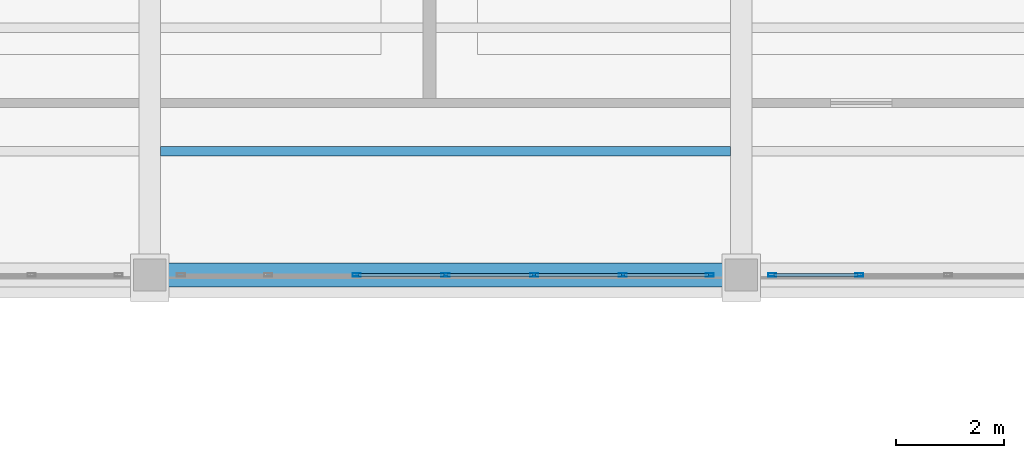
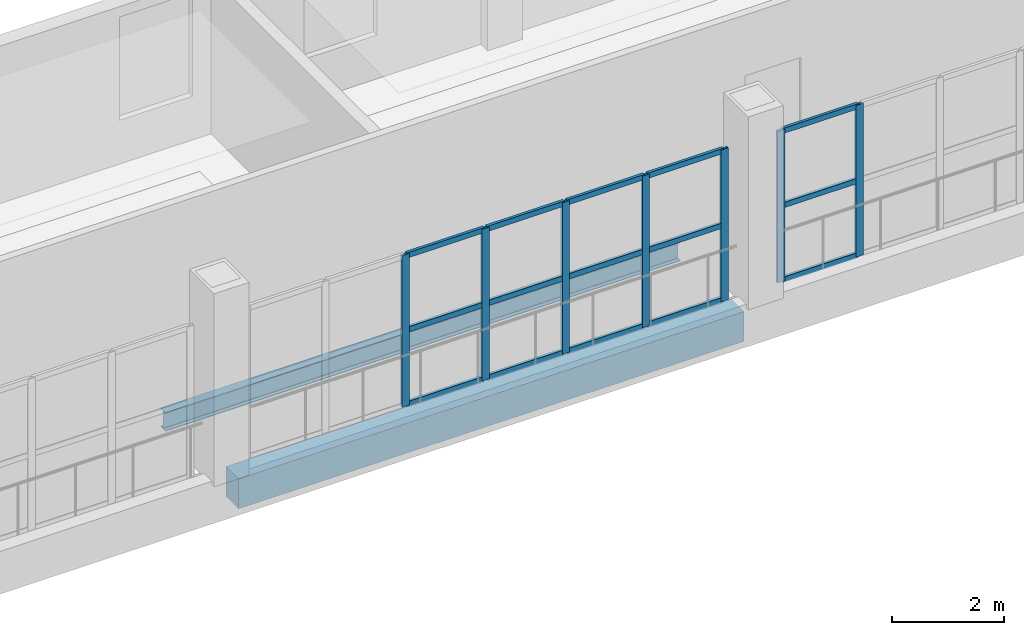
# One storey, part 66 of 120: 22 members, 2 beams, 2 elements without a shape of their own.
"""IFC4 building model written with IfcOpenShell, lengths in metres."""

import ifcopenshell
import ifcopenshell.guid

model = None  # the IFC model being written
_history = None  # IfcOwnerHistory: only IFC2X3 demands one
_inside = {}  # id of a spatial element -> (the spatial element, [elements in it])
_under = {}  # id of a project, library or spatial element -> (it, [spatial elements below it])
_declared = {}  # id of a project -> (the project, [libraries it declares])
_typed = {}  # id of a type object -> (the type object, [elements of that type])
_made_of = {}  # id of a material, layer set ... -> (it, [elements and type objects made of it])


def new_model(schema):
    """Start an empty IFC model of exactly this schema.

    Asked for "IFC4X3", IfcOpenShell would pick the latest addendum, in which some entities
    have other attributes; the version numbers below select the first issue.
    IFC2X3 requires an IfcOwnerHistory on every rooted entity: one is made here for all.
    """
    global model, _history
    if schema == "IFC4X3":
        model = ifcopenshell.file(schema_version=(4, 3, 0, 0))
    else:
        model = ifcopenshell.file(schema=schema)
    _inside.clear()
    _under.clear()
    _declared.clear()
    _typed.clear()
    _made_of.clear()
    _history = None
    if model.schema == "IFC2X3":
        org = make("IfcOrganization", Name="unknown")
        user = make(
            "IfcPersonAndOrganization",
            ThePerson=make("IfcPerson", FamilyName="unknown"),
            TheOrganization=org,
        )
        app = make(
            "IfcApplication",
            ApplicationDeveloper=org,
            Version="unknown",
            ApplicationFullName="unknown",
            ApplicationIdentifier="unknown",
        )
        _history = make(
            "IfcOwnerHistory",
            OwningUser=user,
            OwningApplication=app,
            ChangeAction="ADDED",
            CreationDate=0,
        )
    return model


def make(cls, **values):
    """One entity of the class cls with the attributes given. An attribute that is None is left unset."""
    return model.create_entity(
        cls, **{name: value for name, value in values.items() if value is not None}
    )


def rooted(cls, **values):
    """An entity with a GlobalId (a new one), such as an element, a storey or a relation."""
    return make(cls, GlobalId=ifcopenshell.guid.new(), OwnerHistory=_history, **values)


def si_unit(unit_type, name, prefix=None):
    """IfcSIUnit, for example si_unit("LENGTHUNIT", "METRE", prefix="MILLI")."""
    return make("IfcSIUnit", UnitType=unit_type, Prefix=prefix, Name=name)


def assignment(units):
    """IfcUnitAssignment: the units of a project."""
    return None if units is None else make("IfcUnitAssignment", Units=units)


def point(xyz):
    """IfcCartesianPoint."""
    return None if xyz is None else make("IfcCartesianPoint", Coordinates=xyz)


def direction(xyz):
    """IfcDirection."""
    return None if xyz is None else make("IfcDirection", DirectionRatios=xyz)


def frame(location, z_axis=None, x_axis=None):
    """IfcAxis2Placement3D, a coordinate frame: its origin and axes. An axis left out is left unset."""
    return make(
        "IfcAxis2Placement3D",
        Location=point(location),
        Axis=direction(z_axis),
        RefDirection=direction(x_axis),
    )


def frame_2d(location, x_axis=None):
    """IfcAxis2Placement2D, a coordinate frame in the plane: its origin and x axis."""
    return make(
        "IfcAxis2Placement2D", Location=point(location), RefDirection=direction(x_axis)
    )


def origin():
    """The frame at (0, 0, 0) with its axes left unset."""
    return frame((0.0, 0.0, 0.0))


def origin_2d():
    """The frame at (0, 0) in the plane with its x axis left unset."""
    return frame_2d((0.0, 0.0))


def place(relative_to, where):
    """IfcLocalPlacement: puts the frame where relative to a parent placement (None: the world)."""
    return make(
        "IfcLocalPlacement", PlacementRelTo=relative_to, RelativePlacement=where
    )


def context(
    kind, dimensions, precision=None, world=None, true_north=None, identifier=None
):
    """IfcGeometricRepresentationContext, for example the 3D "Model" context."""
    return make(
        "IfcGeometricRepresentationContext",
        ContextIdentifier=identifier,
        ContextType=kind,
        CoordinateSpaceDimension=dimensions,
        Precision=precision,
        WorldCoordinateSystem=world,
        TrueNorth=true_north,
    )


def subcontext(parent, identifier, kind, view, scale=None):
    """IfcGeometricRepresentationSubContext, for example "Body" below "Model"."""
    return make(
        "IfcGeometricRepresentationSubContext",
        ContextIdentifier=identifier,
        ContextType=kind,
        ParentContext=parent,
        TargetScale=scale,
        TargetView=view,
    )


def project(units=None, contexts=None):
    """IfcProject with its units and contexts."""
    return rooted(
        "IfcProject",
        Name="project",
        RepresentationContexts=contexts,
        UnitsInContext=assignment(units),
    )


def spatial(cls, under=None, at=None, **own):
    """A site, building, storey or space (cls), placed at a placement, below another one or the project."""
    s = rooted(cls, ObjectPlacement=at, **own)
    if under is not None:
        _under.setdefault(under.id(), (under, []))[1].append(s)
    return s


def profile(cls, at=None, kind="AREA", **sizes):
    """A parametric profile (cls). Its sizes go by their IFC names, for example OverallWidth=200.0."""
    return make(cls, ProfileType=kind, Position=at, **sizes)


def rectangle(**sizes):
    """IfcRectangleProfileDef."""
    return profile("IfcRectangleProfileDef", **sizes)


def hollow_rectangle(**sizes):
    """IfcRectangleHollowProfileDef."""
    return profile("IfcRectangleHollowProfileDef", **sizes)


def i_section(**sizes):
    """IfcIShapeProfileDef."""
    return profile("IfcIShapeProfileDef", **sizes)


def extrude(swept, where, along, depth):
    """IfcExtrudedAreaSolid: the profile swept, set in the frame where, extruded along a direction by depth."""
    return make(
        "IfcExtrudedAreaSolid",
        SweptArea=swept,
        Position=where,
        ExtrudedDirection=direction(along),
        Depth=depth,
    )


def shape(context_of_items, identifier, shape_type, items):
    """IfcShapeRepresentation: the items that make up one representation, for example the "Body"."""
    return make(
        "IfcShapeRepresentation",
        ContextOfItems=context_of_items,
        RepresentationIdentifier=identifier,
        RepresentationType=shape_type,
        Items=items,
    )


def material(Name=None, Category=None):
    """IfcMaterial."""
    return make("IfcMaterial", Name=Name, Category=Category)


def material_profile(
    of_material, cross_section, Name=None, Category=None, Priority=None
):
    """IfcMaterialProfile: a cross section and its material."""
    return make(
        "IfcMaterialProfile",
        Name=Name,
        Material=of_material,
        Profile=cross_section,
        Priority=Priority,
        Category=Category,
    )


def profile_set(profiles, Name=None, composite=None):
    """IfcMaterialProfileSet."""
    return make(
        "IfcMaterialProfileSet",
        Name=Name,
        MaterialProfiles=profiles,
        CompositeProfile=composite,
    )


def made_of(thing, what):
    """Note that an element or type object is made of a material, layer set ...; save() writes the relation."""
    if what is not None:
        _made_of.setdefault(what.id(), (what, []))[1].append(thing)
    return thing


def type_object(cls, material=None, **own):
    """A type object (cls), such as IfcWallType, which elements share."""
    return made_of(rooted(cls, **own), material)


def element(
    cls,
    number,
    at=None,
    inside=None,
    cuts=None,
    type_object=None,
    material=None,
    context=None,
    identifier="Body",
    shape_type=None,
    held_by="IfcProductDefinitionShape",
    body=None,
    shapes=None,
    **own,
):
    """One element of the class cls, such as IfcWall. Its Tag is "e" and its number.

    at: its placement. inside: the storey or other place that contains it. cuts: it is an
    opening in that element (IfcRelVoidsElement). A single representation is given by context,
    identifier, shape_type and body (its items); several are given by shapes. held_by: the class
    of the entity that holds the representations. save() writes the other relations.
    """
    e = rooted(cls, Tag="e%d" % number, ObjectPlacement=at, **own)
    if body is not None:
        shapes = [shape(context, identifier, shape_type, body)]
    if shapes is not None:
        e.Representation = make(held_by, Representations=shapes)
    if inside is not None:
        _inside.setdefault(inside.id(), (inside, []))[1].append(e)
    if cuts is not None:
        rooted(
            "IfcRelVoidsElement", RelatingBuildingElement=cuts, RelatedOpeningElement=e
        )
    if type_object is not None:
        _typed.setdefault(type_object.id(), (type_object, []))[1].append(e)
    return made_of(e, material)


def aggregate(whole, parts):
    """IfcRelAggregates: a whole, such as a stair, and the parts it consists of."""
    return rooted("IfcRelAggregates", RelatingObject=whole, RelatedObjects=parts)


def save(model, path):
    """Write the relations noted so far, then the file.

    IfcRelAggregates (storeys below a building ...), IfcRelContainedInSpatialStructure (elements
    in a storey), IfcRelDefinesByType, IfcRelAssociatesMaterial and IfcRelDeclares: one each for
    every whole, place, type object, material and project.
    """
    for whole, parts in _under.values():
        aggregate(whole, parts)
    for where, things in _inside.values():
        rooted(
            "IfcRelContainedInSpatialStructure",
            RelatedElements=things,
            RelatingStructure=where,
        )
    for kind, things in _typed.values():
        rooted("IfcRelDefinesByType", RelatedObjects=things, RelatingType=kind)
    for what, things in _made_of.values():
        rooted("IfcRelAssociatesMaterial", RelatedObjects=things, RelatingMaterial=what)
    for by, libraries in _declared.values():
        rooted("IfcRelDeclares", RelatingContext=by, RelatedDefinitions=libraries)
    model.write(path)


model = new_model("IFC4")

# Units and contexts
model_context = context("Model", 3, precision=1e-05, world=origin(), true_north=direction((0.0, 1.0)))
body_context = subcontext(model_context, "Body", "Model", "MODEL_VIEW")
ifc_project = project(units=[si_unit("LENGTHUNIT", "METRE"), si_unit("AREAUNIT", "SQUARE_METRE"), si_unit("VOLUMEUNIT", "CUBIC_METRE"), si_unit("PLANEANGLEUNIT", "RADIAN"), si_unit("MASSUNIT", "GRAM", prefix="KILO")], contexts=[model_context])

# Site, building, storey
site_placement = place(None, origin())
site = spatial("IfcSite", under=ifc_project, at=site_placement, CompositionType="ELEMENT")
building_placement = place(site_placement, origin())
building = spatial("IfcBuilding", under=site, at=building_placement, Name="Caurita Quay Ferry Terminal", CompositionType="ELEMENT")
storey_placement = place(building_placement, frame((0.0, 0.0, 9.89990234375)))
storey = spatial("IfcBuildingStorey", under=building, at=storey_placement, Name="L02", CompositionType="ELEMENT", Elevation=9.89990234375)

# Beams
ifc_material_1 = material(Name="Structural steel ASTM A992 Gr. 50", Category="steel")
ifc_material_profile_1 = material_profile(ifc_material_1, i_section(OverallWidth=0.1787109375, OverallDepth=0.408935546875, WebThickness=0.0087890625, FlangeThickness=0.014404296875, FilletRadius=0.011474609375, at=origin_2d()), Name="W16X45")
ifc_profile_set_1 = profile_set([ifc_material_profile_1], Name="Structural steel ASTM A992 Gr. 50")
beam_type_1 = type_object("IfcBeamType", Name="BM-JS-W16A", PredefinedType="JOIST", material=ifc_profile_set_1)
beam_1_placement = place(storey_placement, frame((44.199951171875, 110.10009765625, -0.42431640625), z_axis=(1.0, 0.0, 0.0), x_axis=(0.0, 1.0, 0.0)))
element("IfcBeam", 1, at=beam_1_placement, inside=storey, type_object=beam_type_1, Name="L02 Beam JS-V5-L02-034", PredefinedType="JOIST", context=body_context, shape_type="SweptSolid", body=[
    extrude(i_section(OverallWidth=0.1787109375, OverallDepth=0.408935546875, WebThickness=0.0087890625, FlangeThickness=0.014404296875, FilletRadius=0.011474609375, at=origin_2d()), origin(), (0.0, 0.0, 1.0), 10.60009765625),
])
ifc_material_2 = material(Name="Reinforced concrete C35/45", Category="concrete")
ifc_material_profile_2 = material_profile(ifc_material_2, rectangle(XDim=0.449951171875, YDim=0.64990234375, at=origin_2d()), Name="RC-BM-450X650")
ifc_profile_set_2 = profile_set([ifc_material_profile_2], Name="Reinforced concrete C35/45")
beam_type_2 = type_object("IfcBeamType", Name="BM-RC-4565", PredefinedType="BEAM", material=ifc_profile_set_2)
beam_2_placement = place(storey_placement, frame((44.297607421875, 107.800048828125, -0.544921875), z_axis=(1.0, 0.0, 0.0), x_axis=(0.0, 1.0, 0.0)))
element("IfcBeam", 2, at=beam_2_placement, inside=storey, type_object=beam_type_2, Name="L02 Beam BM-V5-L02-X-443-1078", PredefinedType="BEAM", context=body_context, shape_type="SweptSolid", body=[
    extrude(rectangle(XDim=0.449951171875, YDim=0.64990234375, at=origin_2d()), origin(), (0.0, 0.0, 1.0), 10.40478515625),
])

# Curtain wall, members
ifc_material_3 = material(Name="Laminated solar-control insulated glass", Category="glass")
curtain_wall_type = type_object("IfcCurtainWallType", Name="CW-SYS-24", PredefinedType="NOTDEFINED", material=ifc_material_3)
curtain_wall_1_placement = place(storey_placement, origin())
curtain_wall_1 = element("IfcCurtainWall", 3, at=curtain_wall_1_placement, inside=storey, type_object=curtain_wall_type, Name="L02 Courtyard Cloister Storefront 170", PredefinedType="NOTDEFINED")
ifc_material_4 = material(Name="Anodized aluminium 6063-T6", Category="aluminium")
ifc_material_profile_3 = material_profile(ifc_material_4, hollow_rectangle(XDim=0.06005859375, YDim=0.14990234375, WallThickness=0.00341796875, at=origin_2d()), Name="ALU-MUL-60X150")
ifc_profile_set_3 = profile_set([ifc_material_profile_3], Name="Anodized aluminium 6063-T6")
member_type_1 = type_object("IfcMemberType", Name="CW-MUL-150", PredefinedType="MULLION", material=ifc_profile_set_3)
member_1_placement = place(storey_placement, frame((47.85009765625, 107.800048828125, 0.0), z_axis=(0.0, 0.0, 1.0), x_axis=(0.0, 1.0, 0.0)))
member_1 = element("IfcMember", 4, at=member_1_placement, type_object=member_type_1, Name="CW-CRT-170 Mullion 3", PredefinedType="MULLION", context=body_context, shape_type="SweptSolid", body=[
    extrude(hollow_rectangle(XDim=0.06005859375, YDim=0.14990234375, WallThickness=0.00341796875, at=origin_2d()), origin(), (0.0, 0.0, 1.0), 3.300048828125),
])
member_2_placement = place(storey_placement, frame((49.5, 107.800048828125, 0.0), z_axis=(0.0, 0.0, 1.0), x_axis=(0.0, 1.0, 0.0)))
member_2 = element("IfcMember", 5, at=member_2_placement, type_object=member_type_1, Name="CW-CRT-170 Mullion 4", PredefinedType="MULLION", context=body_context, shape_type="SweptSolid", body=[
    extrude(hollow_rectangle(XDim=0.06005859375, YDim=0.14990234375, WallThickness=0.00341796875, at=origin_2d()), origin(), (0.0, 0.0, 1.0), 3.300048828125),
])
member_3_placement = place(storey_placement, frame((51.14990234375, 107.800048828125, 0.0), z_axis=(0.0, 0.0, 1.0), x_axis=(0.0, 1.0, 0.0)))
member_3 = element("IfcMember", 6, at=member_3_placement, type_object=member_type_1, Name="CW-CRT-170 Mullion 5", PredefinedType="MULLION", context=body_context, shape_type="SweptSolid", body=[
    extrude(hollow_rectangle(XDim=0.06005859375, YDim=0.14990234375, WallThickness=0.00341796875, at=origin_2d()), origin(), (0.0, 0.0, 1.0), 3.300048828125),
])
member_4_placement = place(storey_placement, frame((52.800048828125, 107.800048828125, 0.0), z_axis=(0.0, 0.0, 1.0), x_axis=(0.0, 1.0, 0.0)))
member_4 = element("IfcMember", 7, at=member_4_placement, type_object=member_type_1, Name="CW-CRT-170 Mullion 6", PredefinedType="MULLION", context=body_context, shape_type="SweptSolid", body=[
    extrude(hollow_rectangle(XDim=0.06005859375, YDim=0.14990234375, WallThickness=0.00341796875, at=origin_2d()), origin(), (0.0, 0.0, 1.0), 3.300048828125),
])
member_5_placement = place(storey_placement, frame((54.419921875, 107.800048828125, 0.0), z_axis=(0.0, 0.0, 1.0), x_axis=(0.0, 1.0, 0.0)))
member_5 = element("IfcMember", 8, at=member_5_placement, type_object=member_type_1, Name="CW-CRT-170 Mullion 7", PredefinedType="MULLION", context=body_context, shape_type="SweptSolid", body=[
    extrude(hollow_rectangle(XDim=0.06005859375, YDim=0.14990234375, WallThickness=0.00341796875, at=origin_2d()), origin(), (0.0, 0.0, 1.0), 3.300048828125),
])

curtain_wall_2_placement = place(storey_placement, origin())
curtain_wall_2 = element("IfcCurtainWall", 9, at=curtain_wall_2_placement, inside=storey, type_object=curtain_wall_type, Name="L02 Courtyard Cloister Storefront 171", PredefinedType="NOTDEFINED")
member_6_placement = place(storey_placement, frame((55.580078125, 107.800048828125, 0.0), z_axis=(0.0, 0.0, 1.0), x_axis=(0.0, 1.0, 0.0)))
member_6 = element("IfcMember", 10, at=member_6_placement, type_object=member_type_1, Name="CW-CRT-171 Mullion 1", PredefinedType="MULLION", context=body_context, shape_type="SweptSolid", body=[
    extrude(hollow_rectangle(XDim=0.06005859375, YDim=0.14990234375, WallThickness=0.00341796875, at=origin_2d()), origin(), (0.0, 0.0, 1.0), 3.300048828125),
])
member_7_placement = place(storey_placement, frame((57.199951171875, 107.800048828125, 0.0), z_axis=(0.0, 0.0, 1.0), x_axis=(0.0, 1.0, 0.0)))
member_7 = element("IfcMember", 11, at=member_7_placement, type_object=member_type_1, Name="CW-CRT-171 Mullion 2", PredefinedType="MULLION", context=body_context, shape_type="SweptSolid", body=[
    extrude(hollow_rectangle(XDim=0.06005859375, YDim=0.14990234375, WallThickness=0.00341796875, at=origin_2d()), origin(), (0.0, 0.0, 1.0), 3.300048828125),
])

# Member
ifc_material_profile_4 = material_profile(ifc_material_4, hollow_rectangle(XDim=0.06005859375, YDim=0.114990234375, WallThickness=0.00341796875, at=origin_2d()), Name="ALU-TRN-60X115")
ifc_profile_set_4 = profile_set([ifc_material_profile_4], Name="Anodized aluminium 6063-T6")
member_type_2 = type_object("IfcMemberType", Name="CW-TRN-115", PredefinedType="USERDEFINED", material=ifc_profile_set_4)
member_8_placement = place(storey_placement, frame((47.8779296875, 107.800048828125, 0.030029296875), z_axis=(1.0, 0.0, 0.0), x_axis=(0.0, 1.0, 0.0)))
member_8 = element("IfcMember", 12, at=member_8_placement, type_object=member_type_2, Name="CW-CRT-170 Transom 7", ObjectType="TRANSOM", PredefinedType="USERDEFINED", context=body_context, shape_type="SweptSolid", body=[
    extrude(hollow_rectangle(XDim=0.06005859375, YDim=0.114990234375, WallThickness=0.00341796875, at=origin_2d()), origin(), (0.0, 0.0, 1.0), 1.593994140625),
])

member_9_placement = place(storey_placement, frame((47.8779296875, 107.800048828125, 1.650146484375), z_axis=(1.0, 0.0, 0.0), x_axis=(0.0, 1.0, 0.0)))
member_9 = element("IfcMember", 13, at=member_9_placement, type_object=member_type_2, Name="CW-CRT-170 Transom 8", ObjectType="TRANSOM", PredefinedType="USERDEFINED", context=body_context, shape_type="SweptSolid", body=[
    extrude(hollow_rectangle(XDim=0.06005859375, YDim=0.114990234375, WallThickness=0.00341796875, at=origin_2d()), origin(), (0.0, 0.0, 1.0), 1.593994140625),
])

member_10_placement = place(storey_placement, frame((47.8779296875, 107.800048828125, 3.27001953125), z_axis=(1.0, 0.0, 0.0), x_axis=(0.0, 1.0, 0.0)))
member_10 = element("IfcMember", 14, at=member_10_placement, type_object=member_type_2, Name="CW-CRT-170 Transom 9", ObjectType="TRANSOM", PredefinedType="USERDEFINED", context=body_context, shape_type="SweptSolid", body=[
    extrude(hollow_rectangle(XDim=0.06005859375, YDim=0.114990234375, WallThickness=0.00341796875, at=origin_2d()), origin(), (0.0, 0.0, 1.0), 1.593994140625),
])

member_11_placement = place(storey_placement, frame((49.528076171875, 107.800048828125, 0.030029296875), z_axis=(1.0, 0.0, 0.0), x_axis=(0.0, 1.0, 0.0)))
member_11 = element("IfcMember", 15, at=member_11_placement, type_object=member_type_2, Name="CW-CRT-170 Transom 10", ObjectType="TRANSOM", PredefinedType="USERDEFINED", context=body_context, shape_type="SweptSolid", body=[
    extrude(hollow_rectangle(XDim=0.06005859375, YDim=0.114990234375, WallThickness=0.00341796875, at=origin_2d()), origin(), (0.0, 0.0, 1.0), 1.593994140625),
])

member_12_placement = place(storey_placement, frame((49.528076171875, 107.800048828125, 1.650146484375), z_axis=(1.0, 0.0, 0.0), x_axis=(0.0, 1.0, 0.0)))
member_12 = element("IfcMember", 16, at=member_12_placement, type_object=member_type_2, Name="CW-CRT-170 Transom 11", ObjectType="TRANSOM", PredefinedType="USERDEFINED", context=body_context, shape_type="SweptSolid", body=[
    extrude(hollow_rectangle(XDim=0.06005859375, YDim=0.114990234375, WallThickness=0.00341796875, at=origin_2d()), origin(), (0.0, 0.0, 1.0), 1.593994140625),
])

member_13_placement = place(storey_placement, frame((49.528076171875, 107.800048828125, 3.27001953125), z_axis=(1.0, 0.0, 0.0), x_axis=(0.0, 1.0, 0.0)))
member_13 = element("IfcMember", 17, at=member_13_placement, type_object=member_type_2, Name="CW-CRT-170 Transom 12", ObjectType="TRANSOM", PredefinedType="USERDEFINED", context=body_context, shape_type="SweptSolid", body=[
    extrude(hollow_rectangle(XDim=0.06005859375, YDim=0.114990234375, WallThickness=0.00341796875, at=origin_2d()), origin(), (0.0, 0.0, 1.0), 1.593994140625),
])

member_14_placement = place(storey_placement, frame((51.177978515625, 107.800048828125, 0.030029296875), z_axis=(1.0, 0.0, 0.0), x_axis=(0.0, 1.0, 0.0)))
member_14 = element("IfcMember", 18, at=member_14_placement, type_object=member_type_2, Name="CW-CRT-170 Transom 13", ObjectType="TRANSOM", PredefinedType="USERDEFINED", context=body_context, shape_type="SweptSolid", body=[
    extrude(hollow_rectangle(XDim=0.06005859375, YDim=0.114990234375, WallThickness=0.00341796875, at=origin_2d()), origin(), (0.0, 0.0, 1.0), 1.593994140625),
])

member_15_placement = place(storey_placement, frame((51.177978515625, 107.800048828125, 1.650146484375), z_axis=(1.0, 0.0, 0.0), x_axis=(0.0, 1.0, 0.0)))
member_15 = element("IfcMember", 19, at=member_15_placement, type_object=member_type_2, Name="CW-CRT-170 Transom 14", ObjectType="TRANSOM", PredefinedType="USERDEFINED", context=body_context, shape_type="SweptSolid", body=[
    extrude(hollow_rectangle(XDim=0.06005859375, YDim=0.114990234375, WallThickness=0.00341796875, at=origin_2d()), origin(), (0.0, 0.0, 1.0), 1.593994140625),
])

member_16_placement = place(storey_placement, frame((51.177978515625, 107.800048828125, 3.27001953125), z_axis=(1.0, 0.0, 0.0), x_axis=(0.0, 1.0, 0.0)))
member_16 = element("IfcMember", 20, at=member_16_placement, type_object=member_type_2, Name="CW-CRT-170 Transom 15", ObjectType="TRANSOM", PredefinedType="USERDEFINED", context=body_context, shape_type="SweptSolid", body=[
    extrude(hollow_rectangle(XDim=0.06005859375, YDim=0.114990234375, WallThickness=0.00341796875, at=origin_2d()), origin(), (0.0, 0.0, 1.0), 1.593994140625),
])

member_17_placement = place(storey_placement, frame((52.827880859375, 107.800048828125, 0.030029296875), z_axis=(1.0, 0.0, 0.0), x_axis=(0.0, 1.0, 0.0)))
member_17 = element("IfcMember", 21, at=member_17_placement, type_object=member_type_2, Name="CW-CRT-170 Transom 16", ObjectType="TRANSOM", PredefinedType="USERDEFINED", context=body_context, shape_type="SweptSolid", body=[
    extrude(hollow_rectangle(XDim=0.06005859375, YDim=0.114990234375, WallThickness=0.00341796875, at=origin_2d()), origin(), (0.0, 0.0, 1.0), 1.564208984375),
])

member_18_placement = place(storey_placement, frame((52.827880859375, 107.800048828125, 1.650146484375), z_axis=(1.0, 0.0, 0.0), x_axis=(0.0, 1.0, 0.0)))
member_18 = element("IfcMember", 22, at=member_18_placement, type_object=member_type_2, Name="CW-CRT-170 Transom 17", ObjectType="TRANSOM", PredefinedType="USERDEFINED", context=body_context, shape_type="SweptSolid", body=[
    extrude(hollow_rectangle(XDim=0.06005859375, YDim=0.114990234375, WallThickness=0.00341796875, at=origin_2d()), origin(), (0.0, 0.0, 1.0), 1.564208984375),
])

member_19_placement = place(storey_placement, frame((52.827880859375, 107.800048828125, 3.27001953125), z_axis=(1.0, 0.0, 0.0), x_axis=(0.0, 1.0, 0.0)))
member_19 = element("IfcMember", 23, at=member_19_placement, type_object=member_type_2, Name="CW-CRT-170 Transom 18", ObjectType="TRANSOM", PredefinedType="USERDEFINED", context=body_context, shape_type="SweptSolid", body=[
    extrude(hollow_rectangle(XDim=0.06005859375, YDim=0.114990234375, WallThickness=0.00341796875, at=origin_2d()), origin(), (0.0, 0.0, 1.0), 1.564208984375),
])

aggregate(curtain_wall_1, [member_1, member_2, member_3, member_4, member_5, member_8, member_9, member_10, member_11, member_12, member_13, member_14, member_15, member_16, member_17, member_18, member_19])

member_20_placement = place(storey_placement, frame((55.60791015625, 107.800048828125, 0.030029296875), z_axis=(1.0, 0.0, 0.0), x_axis=(0.0, 1.0, 0.0)))
member_20 = element("IfcMember", 24, at=member_20_placement, type_object=member_type_2, Name="CW-CRT-171 Transom 1", ObjectType="TRANSOM", PredefinedType="USERDEFINED", context=body_context, shape_type="SweptSolid", body=[
    extrude(hollow_rectangle(XDim=0.06005859375, YDim=0.114990234375, WallThickness=0.00341796875, at=origin_2d()), origin(), (0.0, 0.0, 1.0), 1.564208984375),
])

member_21_placement = place(storey_placement, frame((55.60791015625, 107.800048828125, 1.650146484375), z_axis=(1.0, 0.0, 0.0), x_axis=(0.0, 1.0, 0.0)))
member_21 = element("IfcMember", 25, at=member_21_placement, type_object=member_type_2, Name="CW-CRT-171 Transom 2", ObjectType="TRANSOM", PredefinedType="USERDEFINED", context=body_context, shape_type="SweptSolid", body=[
    extrude(hollow_rectangle(XDim=0.06005859375, YDim=0.114990234375, WallThickness=0.00341796875, at=origin_2d()), origin(), (0.0, 0.0, 1.0), 1.564208984375),
])

member_22_placement = place(storey_placement, frame((55.60791015625, 107.800048828125, 3.27001953125), z_axis=(1.0, 0.0, 0.0), x_axis=(0.0, 1.0, 0.0)))
member_22 = element("IfcMember", 26, at=member_22_placement, type_object=member_type_2, Name="CW-CRT-171 Transom 3", ObjectType="TRANSOM", PredefinedType="USERDEFINED", context=body_context, shape_type="SweptSolid", body=[
    extrude(hollow_rectangle(XDim=0.06005859375, YDim=0.114990234375, WallThickness=0.00341796875, at=origin_2d()), origin(), (0.0, 0.0, 1.0), 1.564208984375),
])

aggregate(curtain_wall_2, [member_6, member_7, member_20, member_21, member_22])

save(model, "model.ifc")
